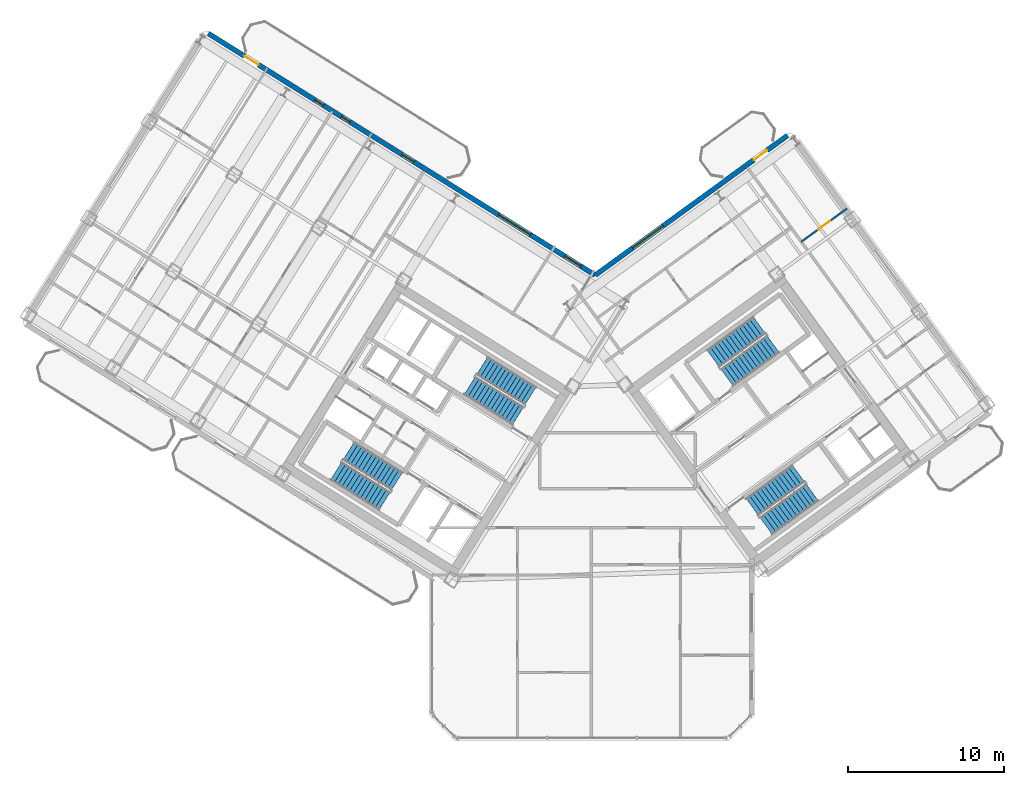
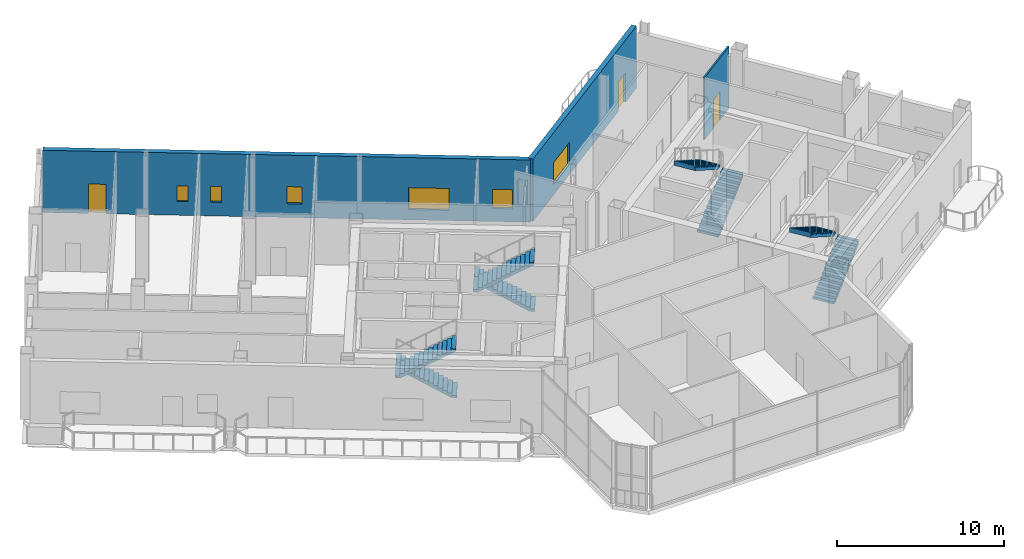
# One storey, part 17 of 21: 8 stair flights, 6 windows, 3 doors, 3 walls, 9 openings, 4 elements without a shape of their own.
"""IFC4 building model written with IfcOpenShell, lengths in metres."""

from ifc_helpers import new_model, si_unit, direction, frame, frame_2d, origin, place, context, subcontext, project, spatial, polyline, rectangle, outline, extrude, source, transform, mapped, material, layer, layer_set, type_object, element, fill, aggregate, save


model = new_model("IFC4")

# Units and contexts
model_context = context("Model", 3, precision=1e-05, world=origin(), true_north=direction((0.0, 1.0)))
body_context = subcontext(model_context, "Body", "Model", "MODEL_VIEW")
ifc_project = project(units=[si_unit("LENGTHUNIT", "METRE"), si_unit("AREAUNIT", "SQUARE_METRE"), si_unit("VOLUMEUNIT", "CUBIC_METRE"), si_unit("PLANEANGLEUNIT", "RADIAN"), si_unit("MASSUNIT", "GRAM", prefix="KILO")], contexts=[model_context])

# Site, building, storey
site_placement = place(None, origin())
site = spatial("IfcSite", under=ifc_project, at=site_placement, CompositionType="ELEMENT")
building_placement = place(site_placement, origin())
building = spatial("IfcBuilding", under=site, at=building_placement, Name="Tlacorven Tower", CompositionType="ELEMENT")
storey_placement = place(building_placement, frame((0.0, 0.0, 179.39990234375)))
storey = spatial("IfcBuildingStorey", under=building, at=storey_placement, Name="L45", CompositionType="ELEMENT", Elevation=179.39990234375)

# Wall, openings, door, windows
ifc_material_1 = material(Name="Precast concrete C45/55", Category="concrete")
ifc_layer_1 = layer(ifc_material_1, 0.320068359375)
ifc_layer_set_1 = layer_set([ifc_layer_1], Name="Precast concrete C45/55")
wall_type_1 = type_object("IfcWallType", Name="WL-EXT-320", PredefinedType="STANDARD", material=ifc_layer_set_1)
wall_1_placement = place(storey_placement, frame((17.423828125, 47.083251953125, 0.0), z_axis=(0.0, 0.0, 1.0), x_axis=(0.848049927979, -0.529916332693, 0.0)))
wall_1 = element("IfcWall", 1, at=wall_1_placement, inside=storey, type_object=wall_type_1, Name="L45 Masonry-Frame Recessed Facade Wall 3", PredefinedType="STANDARD", context=body_context, shape_type="SweptSolid", body=[
    extrude(rectangle(XDim=29.22314453125, YDim=0.320068359375, at=frame_2d((14.611572265625, 0.0))), origin(), (0.0, 0.0, 1.0), 4.550048828125),
])
opening_1_placement = place(wall_1_placement, frame((2.74462890625, 0.0, 0.0)))
opening_1 = element("IfcOpeningElement", 2, at=opening_1_placement, cuts=wall_1, Name="Opening D06", PredefinedType="OPENING", context=body_context, shape_type="SweptSolid", body=[
    extrude(rectangle(XDim=1.050048828125, YDim=2.14990234375, at=frame_2d((0.52490234375, 1.074951171875))), frame((0.0, 0.169921875, 0.0), z_axis=(0.0, -1.0, 0.0), x_axis=(1.0, 0.0, 0.0)), (0.0, 0.0, 1.0), 0.340087890625),
])
opening_2_placement = place(wall_1_placement, frame((21.92626953125, 0.0, 0.75)))
opening_2 = element("IfcOpeningElement", 3, at=opening_2_placement, cuts=wall_1, Name="Opening WN06", PredefinedType="OPENING", context=body_context, shape_type="SweptSolid", body=[
    extrude(rectangle(XDim=2.39990234375, YDim=1.60009765625, at=frame_2d((1.199951171875, 0.800048828125))), frame((0.0, 0.169921875, 0.0), z_axis=(0.0, -1.0, 0.0), x_axis=(1.0, 0.0, 0.0)), (0.0, 0.0, 1.0), 0.340087890625),
])
opening_3_placement = place(wall_1_placement, frame((26.93359375, 0.0, 0.949951171875)))
opening_3 = element("IfcOpeningElement", 4, at=opening_3_placement, cuts=wall_1, Name="Opening WN03", PredefinedType="OPENING", context=body_context, shape_type="SweptSolid", body=[
    extrude(rectangle(XDim=1.199951171875, YDim=1.39990234375, at=frame_2d((0.60009765625, 0.699951171875))), frame((0.0, 0.169921875, 0.0), z_axis=(0.0, -1.0, 0.0), x_axis=(1.0, 0.0, 0.0)), (0.0, 0.0, 1.0), 0.340087890625),
])
opening_4_placement = place(wall_1_placement, frame((10.05712890625, 0.0, 1.0)))
opening_4 = element("IfcOpeningElement", 5, at=opening_4_placement, cuts=wall_1, Name="Opening WN21", PredefinedType="OPENING", context=body_context, shape_type="SweptSolid", body=[
    extrude(rectangle(XDim=0.64990234375, YDim=1.14990234375, at=frame_2d((0.324951171875, 0.574951171875))), frame((0.0, 0.169921875, 0.0), z_axis=(0.0, -1.0, 0.0), x_axis=(1.0, 0.0, 0.0)), (0.0, 0.0, 1.0), 0.340087890625),
])
opening_5_placement = place(wall_1_placement, frame((14.63623046875, 0.0, 1.0)))
opening_5 = element("IfcOpeningElement", 6, at=opening_5_placement, cuts=wall_1, Name="Opening WN05", PredefinedType="OPENING", context=body_context, shape_type="SweptSolid", body=[
    extrude(rectangle(XDim=0.89990234375, YDim=1.25, at=frame_2d((0.449951171875, 0.625))), frame((0.0, 0.169921875, 0.0), z_axis=(0.0, -1.0, 0.0), x_axis=(1.0, 0.0, 0.0)), (0.0, 0.0, 1.0), 0.340087890625),
])
opening_6_placement = place(wall_1_placement, frame((8.05224609375, 0.0, 1.0)))
opening_6 = element("IfcOpeningElement", 7, at=opening_6_placement, cuts=wall_1, Name="Opening WN21", PredefinedType="OPENING", context=body_context, shape_type="SweptSolid", body=[
    extrude(rectangle(XDim=0.64990234375, YDim=1.14990234375, at=frame_2d((0.324951171875, 0.574951171875))), frame((0.0, 0.169921875, 0.0), z_axis=(0.0, -1.0, 0.0), x_axis=(1.0, 0.0, 0.0)), (0.0, 0.0, 1.0), 0.340087890625),
])
ifc_material_2 = material(Name="Powder-coated aluminium and timber door", Category="wood")
door_type_1 = type_object("IfcDoorType", Name="DR-EXT-BALC-1050", OperationType="NOTDEFINED", PredefinedType="DOOR", material=ifc_material_2)
shared_shape_1 = source(origin(), body_context, "Body", "SweptSolid", [
    extrude(rectangle(XDim=1.050048828125, YDim=2.14990234375, at=frame_2d((0.52490234375, 1.074951171875))), frame((0.0, 0.02490234375, 0.0), z_axis=(0.0, -1.0, 0.0), x_axis=(1.0, 0.0, 0.0)), (0.0, 0.0, 1.0), 0.050048828125),
])
door_1_placement = place(opening_1_placement, origin())
door_1 = element("IfcDoor", 8, at=door_1_placement, inside=storey, type_object=door_type_1, Name="L45 Outdoor Access Door BAL-L45-W-IN", OperationType="SINGLE_SWING_RIGHT", OverallHeight=2.14990234375, OverallWidth=1.050048828125, PredefinedType="DOOR", context=body_context, shape_type="MappedRepresentation", body=[
    mapped(shared_shape_1, transform((0.0, 0.0, 0.0), scale=1.0)),
])
fill(opening_1, door_1)
ifc_material_3 = material(Name="Dark solar low-E double glazing in anodised aluminium frame", Category="aluminium")
window_type_1 = type_object("IfcWindowType", Name="WN-APT-1200X1500", PartitioningType="SINGLE_PANEL", PredefinedType="WINDOW", material=ifc_material_3)
shared_shape_2 = source(origin(), body_context, "Body", "SweptSolid", [
    extrude(rectangle(XDim=1.199951171875, YDim=1.39990234375, at=frame_2d((0.60009765625, 0.699951171875))), frame((0.0, 0.030029296875, 0.0), z_axis=(0.0, -1.0, 0.0), x_axis=(1.0, 0.0, 0.0)), (0.0, 0.0, 1.0), 0.06005859375),
])
window_1_placement = place(opening_3_placement, origin())
window_1 = element("IfcWindow", 9, at=window_1_placement, inside=storey, type_object=window_type_1, Name="L45 Recessed Masonry-Frame Window L45-03.2", OverallHeight=1.39990234375, OverallWidth=1.199951171875, PartitioningType="SINGLE_PANEL", PredefinedType="WINDOW", context=body_context, shape_type="MappedRepresentation", body=[
    mapped(shared_shape_2, transform((0.0, 0.0, 0.0), scale=1.0)),
])
fill(opening_3, window_1)
window_type_2 = type_object("IfcWindowType", Name="WN-APT-0900X1350", PartitioningType="SINGLE_PANEL", PredefinedType="WINDOW", material=ifc_material_3)
shared_shape_3 = source(origin(), body_context, "Body", "SweptSolid", [
    extrude(rectangle(XDim=0.89990234375, YDim=1.25, at=frame_2d((0.449951171875, 0.625))), frame((0.0, 0.030029296875, 0.0), z_axis=(0.0, -1.0, 0.0), x_axis=(1.0, 0.0, 0.0)), (0.0, 0.0, 1.0), 0.06005859375),
])
window_2_placement = place(opening_5_placement, origin())
window_2 = element("IfcWindow", 10, at=window_2_placement, inside=storey, type_object=window_type_2, Name="L45 Dwelling Daylight Window L45-U01-BD1", OverallHeight=1.25, OverallWidth=0.89990234375, PartitioningType="SINGLE_PANEL", PredefinedType="WINDOW", context=body_context, shape_type="MappedRepresentation", body=[
    mapped(shared_shape_3, transform((0.0, 0.0, 0.0), scale=1.0)),
])
fill(opening_5, window_2)
window_type_3 = type_object("IfcWindowType", Name="WN-APT-2400X1800", PartitioningType="SINGLE_PANEL", PredefinedType="WINDOW", material=ifc_material_3)
shared_shape_4 = source(origin(), body_context, "Body", "SweptSolid", [
    extrude(rectangle(XDim=2.39990234375, YDim=1.60009765625, at=frame_2d((1.199951171875, 0.800048828125))), frame((0.0, 0.030029296875, 0.0), z_axis=(0.0, -1.0, 0.0), x_axis=(1.0, 0.0, 0.0)), (0.0, 0.0, 1.0), 0.06005859375),
])
window_3_placement = place(opening_2_placement, origin())
window_3 = element("IfcWindow", 11, at=window_3_placement, inside=storey, type_object=window_type_3, Name="L45 Recessed Masonry-Frame Window L45-03.1", OverallHeight=1.60009765625, OverallWidth=2.39990234375, PartitioningType="SINGLE_PANEL", PredefinedType="WINDOW", context=body_context, shape_type="MappedRepresentation", body=[
    mapped(shared_shape_4, transform((0.0, 0.0, 0.0), scale=1.0)),
])
fill(opening_2, window_3)
window_type_4 = type_object("IfcWindowType", Name="WN-APT-0650X1150", PartitioningType="SINGLE_PANEL", PredefinedType="WINDOW", material=ifc_material_3)
shared_shape_5 = source(origin(), body_context, "Body", "SweptSolid", [
    extrude(rectangle(XDim=0.64990234375, YDim=1.14990234375, at=frame_2d((0.324951171875, 0.574951171875))), frame((0.0, 0.030029296875, 0.0), z_axis=(0.0, -1.0, 0.0), x_axis=(1.0, 0.0, 0.0)), (0.0, 0.0, 1.0), 0.06005859375),
])
window_4_placement = place(opening_4_placement, origin())
window_4 = element("IfcWindow", 12, at=window_4_placement, inside=storey, type_object=window_type_4, Name="L45 Dwelling Daylight Window L45-U01-LIV", OverallHeight=1.14990234375, OverallWidth=0.64990234375, PartitioningType="SINGLE_PANEL", PredefinedType="WINDOW", context=body_context, shape_type="MappedRepresentation", body=[
    mapped(shared_shape_5, transform((0.0, 0.0, 0.0), scale=1.0)),
])
fill(opening_4, window_4)
window_5_placement = place(opening_6_placement, origin())
window_5 = element("IfcWindow", 13, at=window_5_placement, inside=storey, type_object=window_type_4, Name="L45 Dwelling Daylight Window L45-U02-LIV", OverallHeight=1.14990234375, OverallWidth=0.64990234375, PartitioningType="SINGLE_PANEL", PredefinedType="WINDOW", context=body_context, shape_type="MappedRepresentation", body=[
    mapped(shared_shape_5, transform((0.0, 0.0, 0.0), scale=1.0)),
])
fill(opening_6, window_5)

# Wall, openings, door, window
wall_2_placement = place(storey_placement, frame((42.20654296875, 31.597412109375, 0.0), z_axis=(0.0, 0.0, 1.0), x_axis=(0.809020333377, 0.587780656523, 0.0)))
wall_2 = element("IfcWall", 14, at=wall_2_placement, inside=storey, type_object=wall_type_1, Name="L45 Masonry-Frame Recessed Facade Wall 4", PredefinedType="STANDARD", context=body_context, shape_type="SweptSolid", body=[
    extrude(rectangle(XDim=15.222900390625, YDim=0.320068359375, at=frame_2d((7.611328125, 0.0))), origin(), (0.0, 0.0, 1.0), 4.550048828125),
])
opening_7_placement = place(wall_2_placement, frame((12.56201171875, 0.0, 0.0)))
opening_7 = element("IfcOpeningElement", 15, at=opening_7_placement, cuts=wall_2, Name="Opening D06", PredefinedType="OPENING", context=body_context, shape_type="SweptSolid", body=[
    extrude(rectangle(XDim=1.050048828125, YDim=2.14990234375, at=frame_2d((0.52490234375, 1.074951171875))), frame((0.0, 0.169921875, 0.0), z_axis=(0.0, -1.0, 0.0), x_axis=(1.0, 0.0, 0.0)), (0.0, 0.0, 1.0), 0.340087890625),
])
opening_8_placement = place(wall_2_placement, frame((2.970458984375, 0.0, 0.75)))
opening_8 = element("IfcOpeningElement", 16, at=opening_8_placement, cuts=wall_2, Name="Opening WN06", PredefinedType="OPENING", context=body_context, shape_type="SweptSolid", body=[
    extrude(rectangle(XDim=2.39990234375, YDim=1.60009765625, at=frame_2d((1.199951171875, 0.800048828125))), frame((0.0, 0.169921875, 0.0), z_axis=(0.0, -1.0, 0.0), x_axis=(1.0, 0.0, 0.0)), (0.0, 0.0, 1.0), 0.340087890625),
])
door_2_placement = place(opening_7_placement, origin())
door_2 = element("IfcDoor", 17, at=door_2_placement, inside=storey, type_object=door_type_1, Name="L45 Outdoor Access Door BAL-L45-E-IN", OperationType="SINGLE_SWING_RIGHT", OverallHeight=2.14990234375, OverallWidth=1.050048828125, PredefinedType="DOOR", context=body_context, shape_type="MappedRepresentation", body=[
    mapped(shared_shape_1, transform((0.0, 0.0, 0.0), scale=1.0)),
])
fill(opening_7, door_2)
window_6_placement = place(opening_8_placement, origin())
window_6 = element("IfcWindow", 18, at=window_6_placement, inside=storey, type_object=window_type_3, Name="L45 Recessed Masonry-Frame Window L45-04.1", OverallHeight=1.60009765625, OverallWidth=2.39990234375, PartitioningType="SINGLE_PANEL", PredefinedType="WINDOW", context=body_context, shape_type="MappedRepresentation", body=[
    mapped(shared_shape_4, transform((0.0, 0.0, 0.0), scale=1.0)),
])
fill(opening_8, window_6)

# Wall, opening, door
ifc_material_4 = material(Name="Gypsum plasterboard partition", Category="gypsum")
ifc_layer_2 = layer(ifc_material_4, 0.110107421875)
ifc_layer_set_2 = layer_set([ifc_layer_2], Name="Gypsum plasterboard partition")
wall_type_2 = type_object("IfcWallType", Name="WL-INT-110", PredefinedType="PARTITIONING", material=ifc_layer_set_2)
wall_3_placement = place(storey_placement, frame((55.40869140625, 33.73828125, 0.0), z_axis=(0.0, 0.0, 1.0), x_axis=(0.809005039917, 0.58780170584, 0.0)))
wall_3 = element("IfcWall", 19, at=wall_3_placement, inside=storey, type_object=wall_type_2, Name="L45 partition 93", PredefinedType="PARTITIONING", context=body_context, shape_type="SweptSolid", body=[
    extrude(rectangle(XDim=3.610107421875, YDim=0.110107421875, at=frame_2d((1.80517578125, 0.0))), origin(), (0.0, 0.0, 1.0), 4.5400390625),
])
opening_9_placement = place(wall_3_placement, frame((1.344970703125, 0.0, 0.0)))
opening_9 = element("IfcOpeningElement", 20, at=opening_9_placement, cuts=wall_3, Name="Opening D12", PredefinedType="OPENING", context=body_context, shape_type="SweptSolid", body=[
    extrude(rectangle(XDim=0.919921875, YDim=2.080078125, at=frame_2d((0.4599609375, 1.0400390625))), frame((0.0, 0.06494140625, 0.0), z_axis=(0.0, -1.0, 0.0), x_axis=(1.0, 0.0, 0.0)), (0.0, 0.0, 1.0), 0.130126953125),
])
door_type_2 = type_object("IfcDoorType", Name="DR-INT-ROOM-0920", OperationType="NOTDEFINED", PredefinedType="DOOR", material=ifc_material_2)
shared_shape_6 = source(origin(), body_context, "Body", "SweptSolid", [
    extrude(rectangle(XDim=0.919921875, YDim=2.080078125, at=frame_2d((0.4599609375, 1.0400390625))), frame((0.0, 0.02490234375, 0.0), z_axis=(0.0, -1.0, 0.0), x_axis=(1.0, 0.0, 0.0)), (0.0, 0.0, 1.0), 0.050048828125),
])
door_3_placement = place(opening_9_placement, origin())
door_3 = element("IfcDoor", 21, at=door_3_placement, inside=storey, type_object=door_type_2, Name="L45 door 057", OperationType="SINGLE_SWING_RIGHT", OverallHeight=2.080078125, OverallWidth=0.919921875, PredefinedType="DOOR", context=body_context, shape_type="MappedRepresentation", body=[
    mapped(shared_shape_6, transform((0.0, 0.0, 0.0), scale=1.0)),
])
fill(opening_9, door_3)

# Stair, stair flights
ifc_material_5 = material(Name="Concrete C40/50", Category="concrete")
stair_type = type_object("IfcStairType", Name="ST-CORE-DLG", PredefinedType="HALF_TURN_STAIR", material=ifc_material_5)
stair_1_placement = place(storey_placement, origin())
stair_1 = element("IfcStair", 22, at=stair_1_placement, inside=storey, type_object=stair_type, Name="L45 Protected Exit Stair West 1", PredefinedType="HALF_TURN_STAIR")
stair_flight_type = type_object("IfcStairFlightType", Name="SFL-RC-1380", PredefinedType="STRAIGHT", material=ifc_material_5)
shared_shape_7 = source(origin(), body_context, "Body", "SweptSolid", [
    extrude(outline(polyline([(-0.0029296875, -0.0029296875), (-0.0029296875, 0.17138671875), (0.280029296875, 0.17138671875), (0.280029296875, 0.3427734375), (0.56005859375, 0.3427734375), (0.56005859375, 0.514404296875), (0.840087890625, 0.514404296875), (0.840087890625, 0.685791015625), (1.1201171875, 0.685791015625), (1.1201171875, 0.857177734375), (1.39990234375, 0.857177734375), (1.39990234375, 1.028564453125), (1.679931640625, 1.028564453125), (1.679931640625, 1.199951171875), (1.9599609375, 1.199951171875), (1.9599609375, 1.371337890625), (2.239990234375, 1.371337890625), (2.239990234375, 1.54296875), (2.52001953125, 1.54296875), (2.52001953125, 1.71435546875), (2.800048828125, 1.71435546875), (2.800048828125, 1.8857421875), (3.080078125, 1.8857421875), (3.080078125, 2.05712890625), (3.360107421875, 2.05712890625), (3.360107421875, 2.228515625), (3.639892578125, 2.228515625), (3.639892578125, 2.39990234375), (3.64306640625, 2.39990234375), (3.64306640625, 2.041015625), (3.639892578125, 2.041015625), (0.30615234375, 0.0), (0.30615234375, -0.0029296875), (-0.0029296875, -0.0029296875)])), frame((0.0, 0.68994140625, 0.0), z_axis=(0.0, -1.0, 0.0), x_axis=(1.0, 0.0, 0.0)), (0.0, 0.0, 1.0), 1.3798828125),
])
stair_flight_1_placement = place(storey_placement, frame((29.499755859375, 18.39453125, 0.0), z_axis=(0.0, 0.0, 1.0), x_axis=(-0.848048096156, 0.529919264233, 0.0)))
stair_flight_1 = element("IfcStairFlight", 23, at=stair_flight_1_placement, type_object=stair_flight_type, Name="ST-W1 flight 1", NumberOfRisers=14, NumberOfTreads=13, PredefinedType="STRAIGHT", RiserHeight=0.171428571, TreadLength=0.28, context=body_context, shape_type="MappedRepresentation", body=[
    mapped(shared_shape_7, transform((0.0, 0.0, 0.0), scale=1.0)),
])
stair_flight_2_placement = place(storey_placement, frame((25.6181640625, 19.051513671875, 2.400146484375), z_axis=(0.0, 0.0, 1.0), x_axis=(0.848048096156, -0.529919264233, 0.0)))
stair_flight_2 = element("IfcStairFlight", 24, at=stair_flight_2_placement, type_object=stair_flight_type, Name="ST-W1 flight 2", NumberOfRisers=14, NumberOfTreads=13, PredefinedType="STRAIGHT", RiserHeight=0.171428571, TreadLength=0.28, context=body_context, shape_type="MappedRepresentation", body=[
    mapped(shared_shape_7, transform((0.0, 0.0, 0.0), scale=1.0)),
])
aggregate(stair_1, [stair_flight_1, stair_flight_2])

stair_2_placement = place(storey_placement, origin())
stair_2 = element("IfcStair", 25, at=stair_2_placement, inside=storey, type_object=stair_type, Name="L45 Protected Exit Stair West 2", PredefinedType="HALF_TURN_STAIR")
stair_flight_3_placement = place(storey_placement, frame((38.051513671875, 23.852294921875, 0.0), z_axis=(0.0, 0.0, 1.0), x_axis=(-0.848048096156, 0.529919264233, 0.0)))
stair_flight_3 = element("IfcStairFlight", 26, at=stair_flight_3_placement, type_object=stair_flight_type, Name="ST-W2 flight 1", NumberOfRisers=14, NumberOfTreads=13, PredefinedType="STRAIGHT", RiserHeight=0.171428571, TreadLength=0.28, context=body_context, shape_type="MappedRepresentation", body=[
    mapped(shared_shape_7, transform((0.0, 0.0, 0.0), scale=1.0)),
])
stair_flight_4_placement = place(storey_placement, frame((34.169677734375, 24.509033203125, 2.400146484375), z_axis=(0.0, 0.0, 1.0), x_axis=(0.848048096156, -0.529919264233, 0.0)))
stair_flight_4 = element("IfcStairFlight", 27, at=stair_flight_4_placement, type_object=stair_flight_type, Name="ST-W2 flight 2", NumberOfRisers=14, NumberOfTreads=13, PredefinedType="STRAIGHT", RiserHeight=0.171428571, TreadLength=0.28, context=body_context, shape_type="MappedRepresentation", body=[
    mapped(shared_shape_7, transform((0.0, 0.0, 0.0), scale=1.0)),
])
aggregate(stair_2, [stair_flight_3, stair_flight_4])

stair_3_placement = place(storey_placement, origin())
stair_3 = element("IfcStair", 28, at=stair_3_placement, inside=storey, type_object=stair_type, Name="L45 Protected Exit Stair East 1", PredefinedType="HALF_TURN_STAIR")
stair_flight_5_placement = place(storey_placement, frame((50.6533203125, 25.0400390625, 0.0), z_axis=(0.0, 0.0, 1.0), x_axis=(0.809016994375, 0.587785252292, 0.0)))
stair_flight_5 = element("IfcStairFlight", 29, at=stair_flight_5_placement, type_object=stair_flight_type, Name="ST-E1 flight 1", NumberOfRisers=14, NumberOfTreads=13, PredefinedType="STRAIGHT", RiserHeight=0.171428571, TreadLength=0.28, context=body_context, shape_type="MappedRepresentation", body=[
    mapped(shared_shape_7, transform((0.0, 0.0, 0.0), scale=1.0)),
])
stair_flight_6_placement = place(storey_placement, frame((52.716552734375, 28.39306640625, 2.400146484375), z_axis=(0.0, 0.0, 1.0), x_axis=(-0.809016994375, -0.587785252292, 0.0)))
stair_flight_6 = element("IfcStairFlight", 30, at=stair_flight_6_placement, type_object=stair_flight_type, Name="ST-E1 flight 2", NumberOfRisers=14, NumberOfTreads=13, PredefinedType="STRAIGHT", RiserHeight=0.171428571, TreadLength=0.28, context=body_context, shape_type="MappedRepresentation", body=[
    mapped(shared_shape_7, transform((0.0, 0.0, 0.0), scale=1.0)),
])
aggregate(stair_3, [stair_flight_5, stair_flight_6])

stair_4_placement = place(storey_placement, origin())
stair_4 = element("IfcStair", 31, at=stair_4_placement, inside=storey, type_object=stair_type, Name="L45 Protected Exit Stair East 2", PredefinedType="HALF_TURN_STAIR")
stair_flight_7_placement = place(storey_placement, frame((53.157470703125, 15.536865234375, 0.0), z_axis=(0.0, 0.0, 1.0), x_axis=(0.809016994375, 0.587785252292, 0.0)))
stair_flight_7 = element("IfcStairFlight", 32, at=stair_flight_7_placement, type_object=stair_flight_type, Name="ST-E2 flight 1", NumberOfRisers=14, NumberOfTreads=13, PredefinedType="STRAIGHT", RiserHeight=0.171428571, TreadLength=0.28, context=body_context, shape_type="MappedRepresentation", body=[
    mapped(shared_shape_7, transform((0.0, 0.0, 0.0), scale=1.0)),
])
stair_flight_8_placement = place(storey_placement, frame((55.220458984375, 18.889892578125, 2.400146484375), z_axis=(0.0, 0.0, 1.0), x_axis=(-0.809016994375, -0.587785252292, 0.0)))
stair_flight_8 = element("IfcStairFlight", 33, at=stair_flight_8_placement, type_object=stair_flight_type, Name="ST-E2 flight 2", NumberOfRisers=14, NumberOfTreads=13, PredefinedType="STRAIGHT", RiserHeight=0.171428571, TreadLength=0.28, context=body_context, shape_type="MappedRepresentation", body=[
    mapped(shared_shape_7, transform((0.0, 0.0, 0.0), scale=1.0)),
])
aggregate(stair_4, [stair_flight_7, stair_flight_8])

save(model, "model.ifc")
